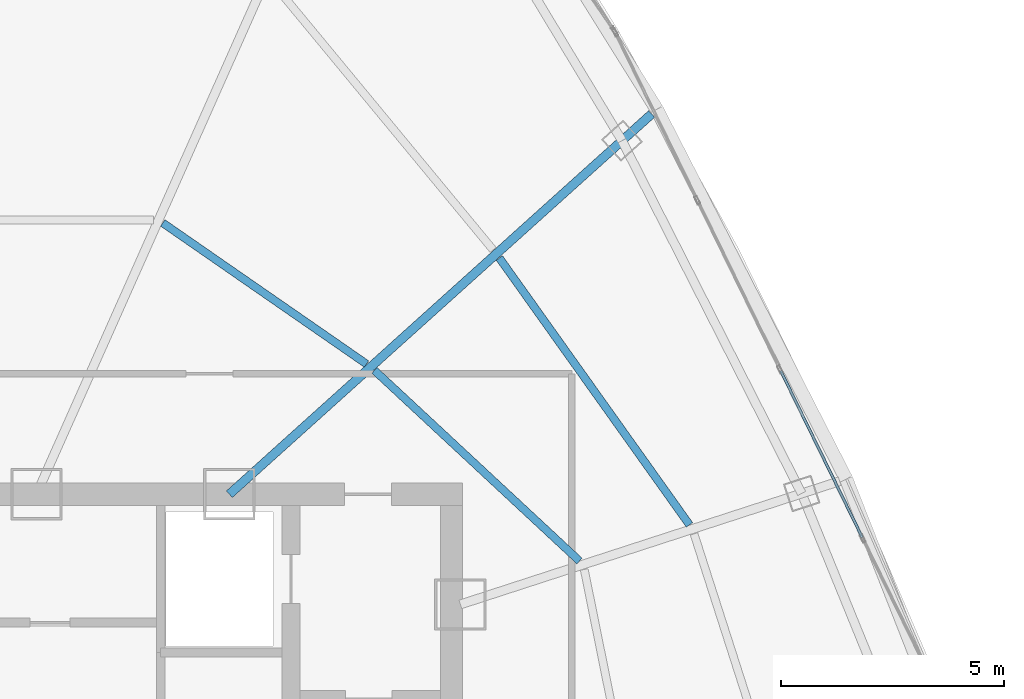
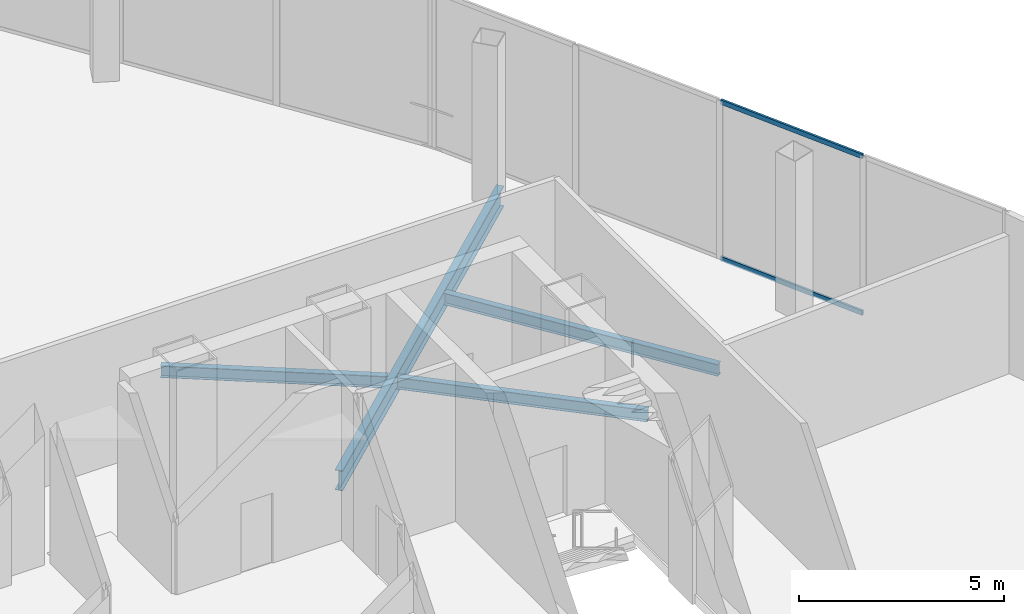
# One storey, part 19 of 33: 4 beams, 2 members, 1 element without a shape of its own.
"""IFC4 building model written with IfcOpenShell, lengths in metres."""

from ifc_helpers import new_model, si_unit, direction, frame, origin, origin_2d, place, context, subcontext, project, spatial, hollow_rectangle, i_section, extrude, source, transform, mapped, material, layer, layer_set, material_profile, profile_set, type_object, element, aggregate, save


model = new_model("IFC4")

# Units and contexts
model_context = context("Model", 3, precision=1e-05, world=origin(), true_north=direction((0.0, 1.0)))
body_context = subcontext(model_context, "Body", "Model", "MODEL_VIEW")
ifc_project = project(units=[si_unit("LENGTHUNIT", "METRE"), si_unit("AREAUNIT", "SQUARE_METRE"), si_unit("VOLUMEUNIT", "CUBIC_METRE"), si_unit("PLANEANGLEUNIT", "RADIAN"), si_unit("MASSUNIT", "GRAM", prefix="KILO"), si_unit("THERMODYNAMICTEMPERATUREUNIT", "KELVIN"), si_unit("POWERUNIT", "WATT")], contexts=[model_context])

# Site, building, storey
site_placement = place(None, origin())
site = spatial("IfcSite", under=ifc_project, at=site_placement, CompositionType="ELEMENT")
building_placement = place(site_placement, origin())
building = spatial("IfcBuilding", under=site, at=building_placement, Name="Yunzhuo Pagoda Commons", CompositionType="ELEMENT")
storey_placement = place(building_placement, frame((0.0, 0.0, 391.760009765625)))
storey = spatial("IfcBuildingStorey", under=building, at=storey_placement, Name="L97", CompositionType="ELEMENT", Elevation=391.760009765625)

# Beams
ifc_material_1 = material(Name="Structural steel Q355B", Category="steel")
ifc_material_profile_1 = material_profile(ifc_material_1, i_section(OverallWidth=0.175048828125, OverallDepth=0.35009765625, WebThickness=0.007080078125, FlangeThickness=0.010986328125, at=origin_2d()), Name="Structural steel Q355B")
ifc_profile_set_1 = profile_set([ifc_material_profile_1], Name="Structural steel Q355B")
beam_type_1 = type_object("IfcBeamType", Name="B-JS2 Joist HN 350x175x7x11", PredefinedType="JOIST", material=ifc_profile_set_1)
shared_shape_1 = source(origin(), body_context, "Body", "SweptSolid", [
    extrude(i_section(OverallWidth=0.175048828125, OverallDepth=0.35009765625, WebThickness=0.007080078125, FlangeThickness=0.010986328125, at=origin_2d()), origin(), (0.0, 0.0, 1.0), 6.277099609375),
])
beam_1_placement = place(storey_placement, frame((63.071044921875, 38.702392578125, -0.455078125), z_axis=(-0.73244154109, 0.68082992655, 0.0), x_axis=(-0.68082992655, -0.73244154109, 0.0)))
element("IfcBeam", 1, at=beam_1_placement, inside=storey, type_object=beam_type_1, Name="L97 composite ring joist 1.6", PredefinedType="JOIST", context=body_context, shape_type="MappedRepresentation", body=[
    mapped(shared_shape_1, transform((0.0, 0.0, 0.0), scale=1.0)),
])
shared_shape_2 = source(origin(), body_context, "Body", "SweptSolid", [
    extrude(i_section(OverallWidth=0.175048828125, OverallDepth=0.35009765625, WebThickness=0.007080078125, FlangeThickness=0.010986328125, at=origin_2d()), origin(), (0.0, 0.0, 1.0), 7.347900390625),
])
beam_2_placement = place(storey_placement, frame((65.53759765625, 39.513671875, -0.455078125), z_axis=(-0.580294898948, 0.814406428177, 0.0), x_axis=(-0.814406428177, -0.580294898948, 0.0)))
element("IfcBeam", 2, at=beam_2_placement, inside=storey, type_object=beam_type_1, Name="L97 composite ring joist 2.6", PredefinedType="JOIST", context=body_context, shape_type="MappedRepresentation", body=[
    mapped(shared_shape_2, transform((0.0, 0.0, 0.0), scale=1.0)),
])
shared_shape_3 = source(origin(), body_context, "Body", "SweptSolid", [
    extrude(i_section(OverallWidth=0.175048828125, OverallDepth=0.35009765625, WebThickness=0.007080078125, FlangeThickness=0.010986328125, at=origin_2d()), origin(), (0.0, 0.0, 1.0), 5.556640625),
])
beam_3_placement = place(storey_placement, frame((58.29443359375, 43.119873046875, -0.455078125), z_axis=(-0.822084621883, 0.569365326011, 0.0), x_axis=(-0.569365326011, -0.822084621883, 0.0)))
element("IfcBeam", 3, at=beam_3_placement, inside=storey, type_object=beam_type_1, Name="L97 composite ring joist 1.7", PredefinedType="JOIST", context=body_context, shape_type="MappedRepresentation", body=[
    mapped(shared_shape_3, transform((0.0, 0.0, 0.0), scale=1.0)),
])
ifc_material_profile_2 = material_profile(ifc_material_1, i_section(OverallWidth=0.199951171875, OverallDepth=0.60009765625, WebThickness=0.010986328125, FlangeThickness=0.01708984375, at=origin_2d()), Name="Structural steel Q355B")
ifc_profile_set_2 = profile_set([ifc_material_profile_2], Name="Structural steel Q355B")
beam_type_2 = type_object("IfcBeamType", Name="B-RG3 Beam HN 600x200x11x17", PredefinedType="BEAM", material=ifc_profile_set_2)
shared_shape_4 = source(origin(), body_context, "Body", "SweptSolid", [
    extrude(i_section(OverallWidth=0.199951171875, OverallDepth=0.60009765625, WebThickness=0.010986328125, FlangeThickness=0.01708984375, at=origin_2d()), origin(), (0.0, 0.0, 1.0), 12.744140625),
])
beam_4_placement = place(storey_placement, frame((64.689697265625, 48.7275390625, -0.580078125), z_axis=(-0.743139811769, -0.669136174605, 0.0), x_axis=(0.669136174605, -0.743139811769, 0.0)))
element("IfcBeam", 4, at=beam_4_placement, inside=storey, type_object=beam_type_2, Name="L97 radial floor girder F2C3", PredefinedType="BEAM", context=body_context, shape_type="MappedRepresentation", body=[
    mapped(shared_shape_4, transform((0.0, 0.0, 0.0), scale=1.0)),
])

# Curtain wall, members
ifc_material_2 = material(Name="Anodized aluminium 6063-T6", Category="aluminium")
ifc_layer = layer(ifc_material_2, 0.179931640625)
ifc_layer_set = layer_set([ifc_layer], Name="Anodized aluminium 6063-T6")
curtain_wall_type = type_object("IfcCurtainWallType", Name="CW-CRN Crown Gable Glazing System", PredefinedType="NOTDEFINED", material=ifc_layer_set)
curtain_wall_placement = place(storey_placement, origin())
curtain_wall = element("IfcCurtainWall", 5, at=curtain_wall_placement, inside=storey, type_object=curtain_wall_type, Name="L97 curtain wall CW-L97-CRNF2G1", PredefinedType="NOTDEFINED")
ifc_material_profile_3 = material_profile(ifc_material_2, hollow_rectangle(XDim=0.06005859375, YDim=0.139892578125, WallThickness=0.00341796875, at=origin_2d()), Name="Anodized aluminium 6063-T6")
ifc_profile_set_3 = profile_set([ifc_material_profile_3], Name="Anodized aluminium 6063-T6")
member_type = type_object("IfcMemberType", Name="CW-CRN-T Transom RHS 140x60x3.5", PredefinedType="USERDEFINED", material=ifc_profile_set_3)
shared_shape_5 = source(origin(), body_context, "Body", "SweptSolid", [
    extrude(hollow_rectangle(XDim=0.06005859375, YDim=0.139892578125, WallThickness=0.00341796875, at=origin_2d()), origin(), (0.0, 0.0, 1.0), 4.157470703125),
])
member_1_placement = place(storey_placement, frame((69.411376953125, 39.23193359375, 0.030029296875), z_axis=(-0.439374430699, 0.898304018497, 0.0), x_axis=(-0.898304018497, -0.439374430699, 0.0)))
member_1 = element("IfcMember", 6, at=member_1_placement, type_object=member_type, Name="CW transom 2.1", ObjectType="TRANSOM", PredefinedType="USERDEFINED", context=body_context, shape_type="MappedRepresentation", body=[
    mapped(shared_shape_5, transform((0.0, 0.0, 0.0), scale=1.0)),
])
member_2_placement = place(storey_placement, frame((69.411376953125, 39.23193359375, 4.68994140625), z_axis=(-0.439374430699, 0.898304018497, 0.0), x_axis=(-0.898304018497, -0.439374430699, 0.0)))
member_2 = element("IfcMember", 7, at=member_2_placement, type_object=member_type, Name="CW transom 2.2", ObjectType="TRANSOM", PredefinedType="USERDEFINED", context=body_context, shape_type="MappedRepresentation", body=[
    mapped(shared_shape_5, transform((0.0, 0.0, 0.0), scale=1.0)),
])
aggregate(curtain_wall, [member_1, member_2])

save(model, "model.ifc")
